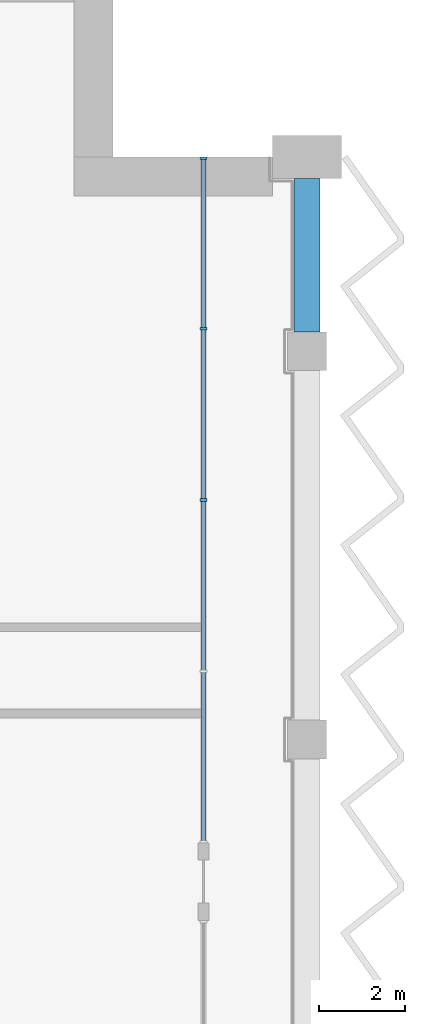
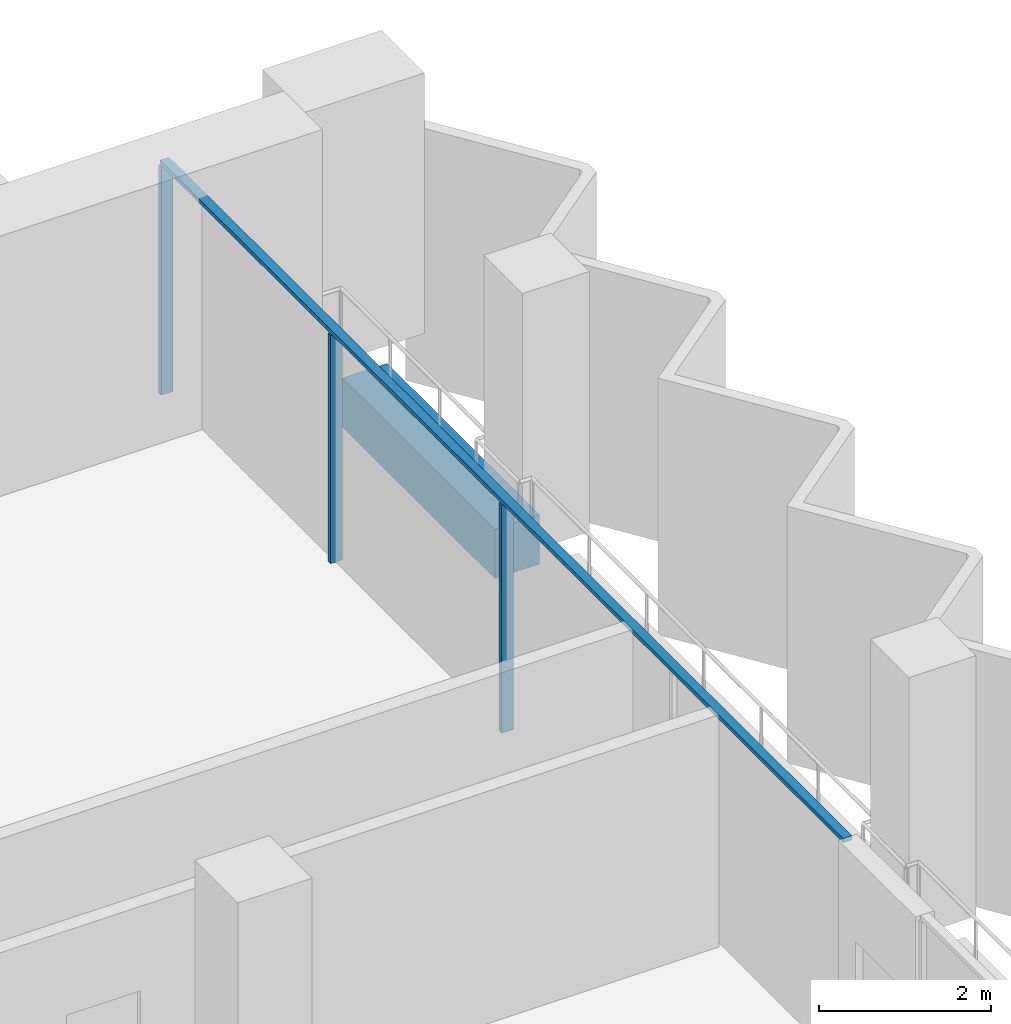
# One storey, part 5 of 16: 4 members, 1 beam, 1 element without a shape of its own.
"""IFC4 building model written with IfcOpenShell, lengths in metres."""

from ifc_helpers import new_model, si_unit, direction, frame, origin, origin_2d, place, context, subcontext, project, spatial, rectangle, extrude, material, material_profile, profile_set, type_object, element, aggregate, save


model = new_model("IFC4")

# Units and contexts
model_context = context("Model", 3, precision=1e-05, world=origin(), true_north=direction((0.0, 1.0)))
body_context = subcontext(model_context, "Body", "Model", "MODEL_VIEW")
ifc_project = project(units=[si_unit("LENGTHUNIT", "METRE"), si_unit("AREAUNIT", "SQUARE_METRE"), si_unit("VOLUMEUNIT", "CUBIC_METRE"), si_unit("PLANEANGLEUNIT", "RADIAN"), si_unit("MASSUNIT", "GRAM", prefix="KILO")], contexts=[model_context])

# Site, building, storey
site_placement = place(None, origin())
site = spatial("IfcSite", under=ifc_project, at=site_placement, CompositionType="ELEMENT")
building_placement = place(site_placement, origin())
building = spatial("IfcBuilding", under=site, at=building_placement, Name="Hunhe Ridgeline Campus", CompositionType="ELEMENT")
storey_placement = place(building_placement, frame((0.0, 0.0, 257.699951171875)))
storey = spatial("IfcBuildingStorey", under=building, at=storey_placement, Name="L66", CompositionType="ELEMENT", Elevation=257.699951171875)

# Curtain wall, members
ifc_material_1 = material(Name="Aluminium 6063", Category="aluminium")
curtain_wall_type = type_object("IfcCurtainWallType", Name="Curtain wall CW-1", PredefinedType="NOTDEFINED", material=ifc_material_1)
curtain_wall_placement = place(storey_placement, origin())
curtain_wall = element("IfcCurtainWall", 1, at=curtain_wall_placement, inside=storey, type_object=curtain_wall_type, Name="Curtain wall 14", PredefinedType="NOTDEFINED")
ifc_material_profile_1 = material_profile(ifc_material_1, rectangle(XDim=0.159912109375, YDim=0.06005859375, at=origin_2d()))
ifc_profile_set_1 = profile_set([ifc_material_profile_1], Name="Aluminium 6063")
member_type_1 = type_object("IfcMemberType", Name="CW-1 aluminium mullion", PredefinedType="MULLION", material=ifc_profile_set_1)
member_1_placement = place(storey_placement, frame((51.59912109375, 86.55029296875, 0.0), z_axis=(0.0, 0.0, 1.0), x_axis=(-1.0, 0.0, 0.0)))
member_1 = element("IfcMember", 2, at=member_1_placement, type_object=member_type_1, Name="CW-1 mullion 3", PredefinedType="MULLION", context=body_context, shape_type="SweptSolid", body=[
    extrude(rectangle(XDim=0.159912109375, YDim=0.06005859375, at=origin_2d()), origin(), (0.0, 0.0, 1.0), 3.239990234375),
])
member_2_placement = place(storey_placement, frame((51.59912109375, 90.525146484375, 0.0), z_axis=(0.0, 0.0, 1.0), x_axis=(-1.0, 0.0, 0.0)))
member_2 = element("IfcMember", 3, at=member_2_placement, type_object=member_type_1, Name="CW-1 mullion 4", PredefinedType="MULLION", context=body_context, shape_type="SweptSolid", body=[
    extrude(rectangle(XDim=0.159912109375, YDim=0.06005859375, at=origin_2d()), origin(), (0.0, 0.0, 1.0), 3.239990234375),
])
member_3_placement = place(storey_placement, frame((51.59912109375, 94.469970703125, 0.0), z_axis=(0.0, 0.0, 1.0), x_axis=(-1.0, 0.0, 0.0)))
member_3 = element("IfcMember", 4, at=member_3_placement, type_object=member_type_1, Name="CW-1 mullion 5", PredefinedType="MULLION", context=body_context, shape_type="SweptSolid", body=[
    extrude(rectangle(XDim=0.159912109375, YDim=0.06005859375, at=origin_2d()), origin(), (0.0, 0.0, 1.0), 3.239990234375),
])
ifc_material_profile_2 = material_profile(ifc_material_1, rectangle(XDim=0.1201171875, YDim=0.06005859375, at=origin_2d()))
ifc_profile_set_2 = profile_set([ifc_material_profile_2], Name="Aluminium 6063")
member_type_2 = type_object("IfcMemberType", Name="CW-1 aluminium transom", PredefinedType="USERDEFINED", material=ifc_profile_set_2)
member_4_placement = place(storey_placement, frame((51.59912109375, 78.6005859375, 3.27001953125), z_axis=(0.0, 1.0, 0.0), x_axis=(-1.0, 0.0, 0.0)))
member_4 = element("IfcMember", 5, at=member_4_placement, type_object=member_type_2, Name="CW-1 transom 1", ObjectType="TRANSOM", PredefinedType="USERDEFINED", context=body_context, shape_type="SweptSolid", body=[
    extrude(rectangle(XDim=0.1201171875, YDim=0.06005859375, at=origin_2d()), origin(), (0.0, 0.0, 1.0), 15.8994140625),
])
aggregate(curtain_wall, [member_4, member_1, member_2, member_3])

# Beam
ifc_material_2 = material(Name="Concrete C50", Category="concrete")
ifc_material_profile_3 = material_profile(ifc_material_2, rectangle(XDim=0.60009765625, YDim=0.699951171875, at=origin_2d()))
ifc_profile_set_3 = profile_set([ifc_material_profile_3], Name="Concrete C50")
beam_type = type_object("IfcBeamType", Name="RC spandrel beam 600x700 Concrete C50", PredefinedType="SPANDREL", material=ifc_profile_set_3)
beam_placement = place(storey_placement, frame((54.0, 90.449951171875, -0.599853515625), z_axis=(0.0, 1.0, 0.0), x_axis=(-1.0, 0.0, 0.0)))
element("IfcBeam", 6, at=beam_placement, inside=storey, type_object=beam_type, Name="Spandrel beam B4-17 L66", PredefinedType="SPANDREL", context=body_context, shape_type="SweptSolid", body=[
    extrude(rectangle(XDim=0.60009765625, YDim=0.699951171875, at=origin_2d()), origin(), (0.0, 0.0, 1.0), 3.550048828125),
])

save(model, "model.ifc")
